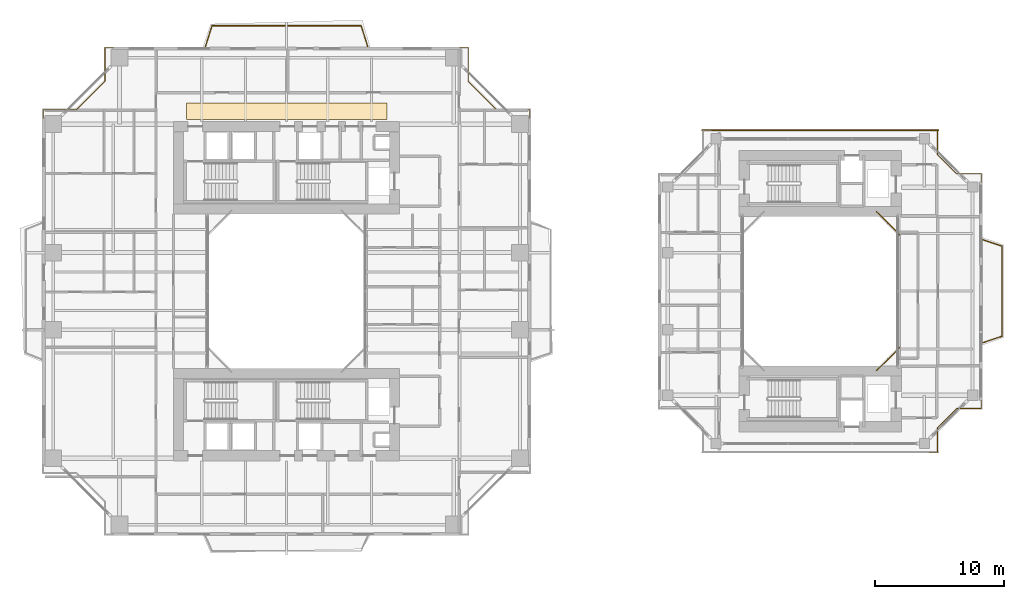
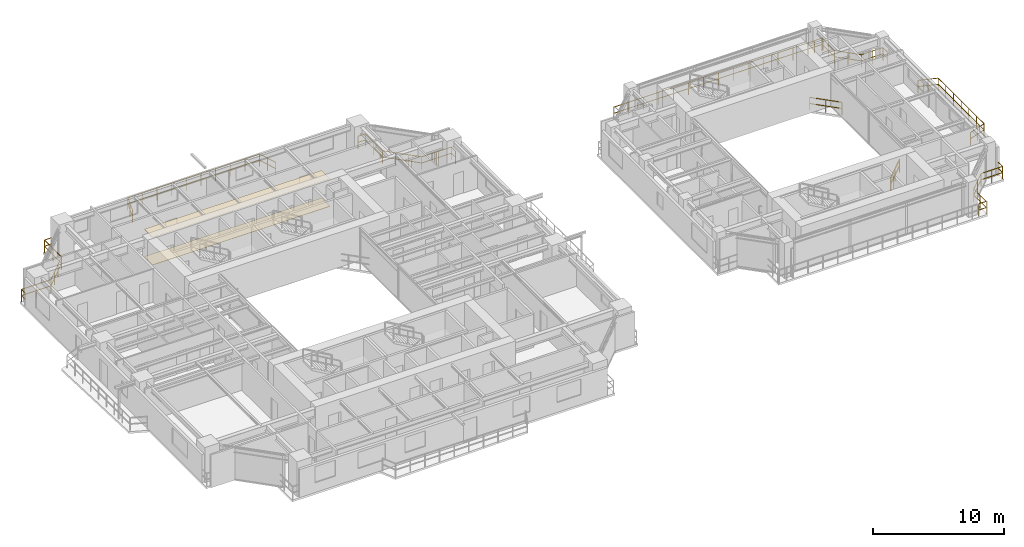
# One storey, part 23 of 23: 9 railings, 2 coverings.
"""IFC4 building model written with IfcOpenShell, lengths in metres."""

from ifc_helpers import new_model, si_unit, direction, frame, origin, origin_2d, place, context, subcontext, project, spatial, polyline, rectangle, outline, extrude, material, layer, layer_set, type_object, element, save


model = new_model("IFC4")

# Units and contexts
model_context = context("Model", 3, precision=1e-05, world=origin(), true_north=direction((0.0, 1.0)))
body_context = subcontext(model_context, "Body", "Model", "MODEL_VIEW")
ifc_project = project(units=[si_unit("LENGTHUNIT", "METRE"), si_unit("AREAUNIT", "SQUARE_METRE"), si_unit("VOLUMEUNIT", "CUBIC_METRE"), si_unit("PLANEANGLEUNIT", "RADIAN"), si_unit("MASSUNIT", "GRAM", prefix="KILO"), si_unit("THERMODYNAMICTEMPERATUREUNIT", "KELVIN"), si_unit("POWERUNIT", "WATT")], contexts=[model_context])

# Site, building, storey
site_placement = place(None, origin())
site = spatial("IfcSite", under=ifc_project, at=site_placement, CompositionType="ELEMENT")
building_placement = place(site_placement, origin())
building = spatial("IfcBuilding", under=site, at=building_placement, Name="Qiaomeng Ring Towers", CompositionType="ELEMENT")
storey_placement = place(building_placement, frame((0.0, 0.0, 79.5)))
storey = spatial("IfcBuildingStorey", under=building, at=storey_placement, Name="L22", CompositionType="ELEMENT", Elevation=79.5)

# Coverings
ifc_material_1 = material(Name="Mineral fibre acoustic ceiling tile", Category="gypsum")
ifc_layer_1 = layer(ifc_material_1, 0.02490234375, Name="Mineral fibre acoustic ceiling tile")
ifc_layer_set_1 = layer_set([ifc_layer_1], Name="Mineral fibre acoustic ceiling tile")
covering_type_1 = type_object("IfcCoveringType", Name="ARC-COV-CEIL1", PredefinedType="CEILING", material=ifc_layer_set_1)
covering_1_placement = place(storey_placement, frame((0.0, 0.0, 2.550048828125)))
element("IfcCovering", 1, at=covering_1_placement, inside=storey, type_object=covering_type_1, Name="L22 Corridor Acoustic Ceiling", PredefinedType="CEILING", context=body_context, shape_type="SweptSolid", body=[
    extrude(outline(polyline([(11.199951171875, 36.35009765625), (11.199951171875, 37.64990234375), (26.800048828125, 37.64990234375), (26.800048828125, 36.35009765625), (11.199951171875, 36.35009765625)])), origin(), (0.0, 0.0, 1.0), 0.02490234375),
])
ifc_material_2 = material(Name="Vitrified porcelain floor tile", Category="ceramic")
ifc_layer_2 = layer(ifc_material_2, 0.02001953125, Name="Vitrified porcelain floor tile")
ifc_layer_set_2 = layer_set([ifc_layer_2], Name="Vitrified porcelain floor tile")
covering_type_2 = type_object("IfcCoveringType", Name="ARC-COV-FLR1", PredefinedType="FLOORING", material=ifc_layer_set_2)
covering_2_placement = place(storey_placement, origin())
element("IfcCovering", 2, at=covering_2_placement, inside=storey, type_object=covering_type_2, Name="L22 Corridor Stone Flooring", PredefinedType="FLOORING", context=body_context, shape_type="SweptSolid", body=[
    extrude(outline(polyline([(11.199951171875, 36.35009765625), (11.199951171875, 37.64990234375), (26.800048828125, 37.64990234375), (26.800048828125, 36.35009765625), (11.199951171875, 36.35009765625)])), origin(), (0.0, 0.0, 1.0), 0.02001953125),
])

# Railings
ifc_material_3 = material(Name="Low-E pale-green laminated safety glass", Category="glass")
railing_type = type_object("IfcRailingType", Name="ARC-RL-BAL1", PredefinedType="BALUSTRADE", material=ifc_material_3)
railing_1_placement = place(storey_placement, frame((37.919921875, 36.469970703125, 0.0)))
element("IfcRailing", 3, at=railing_1_placement, inside=storey, type_object=railing_type, Name="L22 Balustrade ARC-BAL-NOTCH1-L22-NE", PredefinedType="BALUSTRADE", context=body_context, shape_type="SweptSolid", body=[
    extrude(rectangle(XDim=0.048095703125, YDim=0.048095703125, at=origin_2d()), frame((0.0, 0.0, 1.17578125), z_axis=(0.0, 1.0, 0.0), x_axis=(-1.0, 0.0, 0.0)), (0.0, 0.0, 1.0), 0.650146484375),
    extrude(rectangle(XDim=0.048095703125, YDim=0.048095703125, at=origin_2d()), frame((0.0, 0.0, 0.60009765625), z_axis=(0.0, 1.0, 0.0), x_axis=(-1.0, 0.0, 0.0)), (0.0, 0.0, 1.0), 0.650146484375),
    extrude(rectangle(XDim=0.048095703125, YDim=0.048095703125, at=origin_2d()), frame((0.0, 0.650146484375, 1.17578125), z_axis=(-1.0, 0.0, 0.0), x_axis=(0.0, -1.0, 0.0)), (0.0, 0.0, 1.0), 2.599853515625),
    extrude(rectangle(XDim=0.048095703125, YDim=0.048095703125, at=origin_2d()), frame((0.0, 0.650146484375, 0.60009765625), z_axis=(-1.0, 0.0, 0.0), x_axis=(0.0, -1.0, 0.0)), (0.0, 0.0, 1.0), 2.599853515625),
    extrude(rectangle(XDim=0.048095703125, YDim=0.048095703125, at=origin_2d()), frame((-2.599853515625, 0.650146484375, 1.17578125), z_axis=(-0.707106781187, 0.707106781187, 0.0), x_axis=(-0.707106781187, -0.707106781187, 0.0)), (0.0, 0.0, 1.0), 3.111083984375),
    extrude(rectangle(XDim=0.048095703125, YDim=0.048095703125, at=origin_2d()), frame((-2.599853515625, 0.650146484375, 0.60009765625), z_axis=(-0.707106781187, 0.707106781187, 0.0), x_axis=(-0.707106781187, -0.707106781187, 0.0)), (0.0, 0.0, 1.0), 3.111083984375),
    extrude(rectangle(XDim=0.048095703125, YDim=0.048095703125, at=origin_2d()), frame((-4.7998046875, 2.85009765625, 1.17578125), z_axis=(0.0, 1.0, 0.0), x_axis=(-1.0, 0.0, 0.0)), (0.0, 0.0, 1.0), 2.599853515625),
    extrude(rectangle(XDim=0.048095703125, YDim=0.048095703125, at=origin_2d()), frame((-4.7998046875, 2.85009765625, 0.60009765625), z_axis=(0.0, 1.0, 0.0), x_axis=(-1.0, 0.0, 0.0)), (0.0, 0.0, 1.0), 2.599853515625),
    extrude(rectangle(XDim=0.048095703125, YDim=0.048095703125, at=origin_2d()), frame((-4.7998046875, 5.449951171875, 1.17578125), z_axis=(-1.0, 0.0, 0.0), x_axis=(0.0, -1.0, 0.0)), (0.0, 0.0, 1.0), 0.650146484375),
    extrude(rectangle(XDim=0.048095703125, YDim=0.048095703125, at=origin_2d()), frame((-4.7998046875, 5.449951171875, 0.60009765625), z_axis=(-1.0, 0.0, 0.0), x_axis=(0.0, -1.0, 0.0)), (0.0, 0.0, 1.0), 0.650146484375),
    extrude(rectangle(XDim=0.0419921875, YDim=0.0419921875, at=origin_2d()), origin(), (0.0, 0.0, 1.0), 1.15185546875),
    extrude(rectangle(XDim=0.0419921875, YDim=0.0419921875, at=origin_2d()), frame((0.0, 0.650146484375, 0.0)), (0.0, 0.0, 1.0), 1.15185546875),
    extrude(rectangle(XDim=0.0419921875, YDim=0.0419921875, at=origin_2d()), frame((-1.2998046875, 0.650146484375, 0.0)), (0.0, 0.0, 1.0), 1.15185546875),
    extrude(rectangle(XDim=0.0419921875, YDim=0.0419921875, at=origin_2d()), frame((-2.599853515625, 0.650146484375, 0.0)), (0.0, 0.0, 1.0), 1.15185546875),
    extrude(rectangle(XDim=0.0419921875, YDim=0.0419921875, at=origin_2d()), frame((-3.333251953125, 1.383544921875, 0.0)), (0.0, 0.0, 1.0), 1.15185546875),
    extrude(rectangle(XDim=0.0419921875, YDim=0.0419921875, at=origin_2d()), frame((-4.06640625, 2.11669921875, 0.0)), (0.0, 0.0, 1.0), 1.15185546875),
    extrude(rectangle(XDim=0.0419921875, YDim=0.0419921875, at=origin_2d()), frame((-4.7998046875, 2.85009765625, 0.0)), (0.0, 0.0, 1.0), 1.15185546875),
    extrude(rectangle(XDim=0.0419921875, YDim=0.0419921875, at=origin_2d()), frame((-4.7998046875, 4.14990234375, 0.0)), (0.0, 0.0, 1.0), 1.15185546875),
    extrude(rectangle(XDim=0.0419921875, YDim=0.0419921875, at=origin_2d()), frame((-4.7998046875, 5.449951171875, 0.0)), (0.0, 0.0, 1.0), 1.15185546875),
    extrude(rectangle(XDim=0.0419921875, YDim=0.0419921875, at=origin_2d()), frame((-5.449951171875, 5.449951171875, 0.0)), (0.0, 0.0, 1.0), 1.15185546875),
])
railing_2_placement = place(storey_placement, frame((5.530029296875, 41.919921875, 0.0)))
element("IfcRailing", 4, at=railing_2_placement, inside=storey, type_object=railing_type, Name="L22 Balustrade ARC-BAL-NOTCH1-L22-NW", PredefinedType="BALUSTRADE", context=body_context, shape_type="SweptSolid", body=[
    extrude(rectangle(XDim=0.048095703125, YDim=0.048095703125, at=origin_2d()), frame((0.0, 0.0, 1.17578125), z_axis=(-1.0, 0.0, 0.0), x_axis=(0.0, -1.0, 0.0)), (0.0, 0.0, 1.0), 0.650146484375),
    extrude(rectangle(XDim=0.048095703125, YDim=0.048095703125, at=origin_2d()), frame((0.0, 0.0, 0.60009765625), z_axis=(-1.0, 0.0, 0.0), x_axis=(0.0, -1.0, 0.0)), (0.0, 0.0, 1.0), 0.650146484375),
    extrude(rectangle(XDim=0.048095703125, YDim=0.048095703125, at=origin_2d()), frame((-0.650146484375, 0.0, 1.17578125), z_axis=(0.0, -1.0, 0.0), x_axis=(1.0, 0.0, 0.0)), (0.0, 0.0, 1.0), 2.599853515625),
    extrude(rectangle(XDim=0.048095703125, YDim=0.048095703125, at=origin_2d()), frame((-0.650146484375, 0.0, 0.60009765625), z_axis=(0.0, -1.0, 0.0), x_axis=(1.0, 0.0, 0.0)), (0.0, 0.0, 1.0), 2.599853515625),
    extrude(rectangle(XDim=0.048095703125, YDim=0.048095703125, at=origin_2d()), frame((-0.650146484375, -2.599853515625, 1.17578125), z_axis=(-0.707106781187, -0.707106781187, 0.0), x_axis=(0.707106781187, -0.707106781187, 0.0)), (0.0, 0.0, 1.0), 3.111083984375),
    extrude(rectangle(XDim=0.048095703125, YDim=0.048095703125, at=origin_2d()), frame((-0.650146484375, -2.599853515625, 0.60009765625), z_axis=(-0.707106781187, -0.707106781187, 0.0), x_axis=(0.707106781187, -0.707106781187, 0.0)), (0.0, 0.0, 1.0), 3.111083984375),
    extrude(rectangle(XDim=0.048095703125, YDim=0.048095703125, at=origin_2d()), frame((-2.85009765625, -4.7998046875, 1.17578125), z_axis=(-1.0, 0.0, 0.0), x_axis=(0.0, -1.0, 0.0)), (0.0, 0.0, 1.0), 2.599853515625),
    extrude(rectangle(XDim=0.048095703125, YDim=0.048095703125, at=origin_2d()), frame((-2.85009765625, -4.7998046875, 0.60009765625), z_axis=(-1.0, 0.0, 0.0), x_axis=(0.0, -1.0, 0.0)), (0.0, 0.0, 1.0), 2.599853515625),
    extrude(rectangle(XDim=0.048095703125, YDim=0.048095703125, at=origin_2d()), frame((-5.449951171875, -4.7998046875, 1.17578125), z_axis=(0.0, -1.0, 0.0), x_axis=(1.0, 0.0, 0.0)), (0.0, 0.0, 1.0), 0.650146484375),
    extrude(rectangle(XDim=0.048095703125, YDim=0.048095703125, at=origin_2d()), frame((-5.449951171875, -4.7998046875, 0.60009765625), z_axis=(0.0, -1.0, 0.0), x_axis=(1.0, 0.0, 0.0)), (0.0, 0.0, 1.0), 0.650146484375),
    extrude(rectangle(XDim=0.0419921875, YDim=0.0419921875, at=origin_2d()), origin(), (0.0, 0.0, 1.0), 1.15185546875),
    extrude(rectangle(XDim=0.0419921875, YDim=0.0419921875, at=origin_2d()), frame((-0.650146484375, 0.0, 0.0)), (0.0, 0.0, 1.0), 1.15185546875),
    extrude(rectangle(XDim=0.0419921875, YDim=0.0419921875, at=origin_2d()), frame((-0.650146484375, -1.2998046875, 0.0)), (0.0, 0.0, 1.0), 1.15185546875),
    extrude(rectangle(XDim=0.0419921875, YDim=0.0419921875, at=origin_2d()), frame((-0.650146484375, -2.599853515625, 0.0)), (0.0, 0.0, 1.0), 1.15185546875),
    extrude(rectangle(XDim=0.0419921875, YDim=0.0419921875, at=origin_2d()), frame((-1.383544921875, -3.333251953125, 0.0)), (0.0, 0.0, 1.0), 1.15185546875),
    extrude(rectangle(XDim=0.0419921875, YDim=0.0419921875, at=origin_2d()), frame((-2.11669921875, -4.06640625, 0.0)), (0.0, 0.0, 1.0), 1.15185546875),
    extrude(rectangle(XDim=0.0419921875, YDim=0.0419921875, at=origin_2d()), frame((-2.85009765625, -4.7998046875, 0.0)), (0.0, 0.0, 1.0), 1.15185546875),
    extrude(rectangle(XDim=0.0419921875, YDim=0.0419921875, at=origin_2d()), frame((-4.14990234375, -4.7998046875, 0.0)), (0.0, 0.0, 1.0), 1.15185546875),
    extrude(rectangle(XDim=0.0419921875, YDim=0.0419921875, at=origin_2d()), frame((-5.449951171875, -4.7998046875, 0.0)), (0.0, 0.0, 1.0), 1.15185546875),
    extrude(rectangle(XDim=0.0419921875, YDim=0.0419921875, at=origin_2d()), frame((-5.449951171875, -5.449951171875, 0.0)), (0.0, 0.0, 1.0), 1.15185546875),
])
railing_3_placement = place(storey_placement, frame((12.699951171875, 42.050048828125, 0.0)))
element("IfcRailing", 5, at=railing_3_placement, inside=storey, type_object=railing_type, Name="L22 Balustrade ARC-BAL-L22-T1-N", PredefinedType="BALUSTRADE", context=body_context, shape_type="SweptSolid", body=[
    extrude(rectangle(XDim=0.048095703125, YDim=0.048095703125, at=origin_2d()), frame((0.0, 0.0, 1.17578125), z_axis=(0.300009430376, 0.95393623565, 0.0), x_axis=(-0.95393623565, 0.300009430376, 0.0)), (0.0, 0.0, 1.0), 1.66650390625),
    extrude(rectangle(XDim=0.048095703125, YDim=0.048095703125, at=origin_2d()), frame((0.0, 0.0, 0.60009765625), z_axis=(0.300009430376, 0.95393623565, 0.0), x_axis=(-0.95393623565, 0.300009430376, 0.0)), (0.0, 0.0, 1.0), 1.66650390625),
    extrude(rectangle(XDim=0.048095703125, YDim=0.048095703125, at=origin_2d()), frame((0.5, 1.58984375, 1.17578125), z_axis=(1.0, 0.0, 0.0), x_axis=(0.0, 1.0, 0.0)), (0.0, 0.0, 1.0), 11.60009765625),
    extrude(rectangle(XDim=0.048095703125, YDim=0.048095703125, at=origin_2d()), frame((0.5, 1.58984375, 0.60009765625), z_axis=(1.0, 0.0, 0.0), x_axis=(0.0, 1.0, 0.0)), (0.0, 0.0, 1.0), 11.60009765625),
    extrude(rectangle(XDim=0.048095703125, YDim=0.048095703125, at=origin_2d()), frame((12.10009765625, 1.58984375, 1.17578125), z_axis=(0.300009430376, -0.95393623565, 0.0), x_axis=(0.95393623565, 0.300009430376, 0.0)), (0.0, 0.0, 1.0), 1.66650390625),
    extrude(rectangle(XDim=0.048095703125, YDim=0.048095703125, at=origin_2d()), frame((12.10009765625, 1.58984375, 0.60009765625), z_axis=(0.300009430376, -0.95393623565, 0.0), x_axis=(0.95393623565, 0.300009430376, 0.0)), (0.0, 0.0, 1.0), 1.66650390625),
    extrude(rectangle(XDim=0.0419921875, YDim=0.0419921875, at=origin_2d()), origin(), (0.0, 0.0, 1.0), 1.15185546875),
    extrude(rectangle(XDim=0.0419921875, YDim=0.0419921875, at=origin_2d()), frame((0.25, 0.794921875, 0.0)), (0.0, 0.0, 1.0), 1.15185546875),
    extrude(rectangle(XDim=0.0419921875, YDim=0.0419921875, at=origin_2d()), frame((0.5, 1.58984375, 0.0)), (0.0, 0.0, 1.0), 1.15185546875),
    extrude(rectangle(XDim=0.0419921875, YDim=0.0419921875, at=origin_2d()), frame((1.788818359375, 1.58984375, 0.0)), (0.0, 0.0, 1.0), 1.15185546875),
    extrude(rectangle(XDim=0.0419921875, YDim=0.0419921875, at=origin_2d()), frame((3.077880859375, 1.58984375, 0.0)), (0.0, 0.0, 1.0), 1.15185546875),
    extrude(rectangle(XDim=0.0419921875, YDim=0.0419921875, at=origin_2d()), frame((4.36669921875, 1.58984375, 0.0)), (0.0, 0.0, 1.0), 1.15185546875),
    extrude(rectangle(XDim=0.0419921875, YDim=0.0419921875, at=origin_2d()), frame((5.655517578125, 1.58984375, 0.0)), (0.0, 0.0, 1.0), 1.15185546875),
    extrude(rectangle(XDim=0.0419921875, YDim=0.0419921875, at=origin_2d()), frame((6.944580078125, 1.58984375, 0.0)), (0.0, 0.0, 1.0), 1.15185546875),
    extrude(rectangle(XDim=0.0419921875, YDim=0.0419921875, at=origin_2d()), frame((8.2333984375, 1.58984375, 0.0)), (0.0, 0.0, 1.0), 1.15185546875),
    extrude(rectangle(XDim=0.0419921875, YDim=0.0419921875, at=origin_2d()), frame((9.522216796875, 1.58984375, 0.0)), (0.0, 0.0, 1.0), 1.15185546875),
    extrude(rectangle(XDim=0.0419921875, YDim=0.0419921875, at=origin_2d()), frame((10.811279296875, 1.58984375, 0.0)), (0.0, 0.0, 1.0), 1.15185546875),
    extrude(rectangle(XDim=0.0419921875, YDim=0.0419921875, at=origin_2d()), frame((12.10009765625, 1.58984375, 0.0)), (0.0, 0.0, 1.0), 1.15185546875),
    extrude(rectangle(XDim=0.0419921875, YDim=0.0419921875, at=origin_2d()), frame((12.35009765625, 0.794921875, 0.0)), (0.0, 0.0, 1.0), 1.15185546875),
    extrude(rectangle(XDim=0.0419921875, YDim=0.0419921875, at=origin_2d()), frame((12.60009765625, 0.0, 0.0)), (0.0, 0.0, 1.0), 1.15185546875),
])
railing_4_placement = place(storey_placement, frame((64.8798828125, 16.820068359375, 0.0)))
element("IfcRailing", 6, at=railing_4_placement, inside=storey, type_object=railing_type, Name="L22 Balustrade ARC-BAL-WELL2-L22-1", PredefinedType="BALUSTRADE", context=body_context, shape_type="SweptSolid", body=[
    extrude(rectangle(XDim=0.048095703125, YDim=0.048095703125, at=origin_2d()), frame((0.0, 0.0, 1.17578125), z_axis=(0.707106781187, 0.707106781187, 0.0), x_axis=(-0.707106781187, 0.707106781187, 0.0)), (0.0, 0.0, 1.0), 2.545654296875),
    extrude(rectangle(XDim=0.048095703125, YDim=0.048095703125, at=origin_2d()), frame((0.0, 0.0, 0.60009765625), z_axis=(0.707106781187, 0.707106781187, 0.0), x_axis=(-0.707106781187, 0.707106781187, 0.0)), (0.0, 0.0, 1.0), 2.545654296875),
    extrude(rectangle(XDim=0.0419921875, YDim=0.0419921875, at=origin_2d()), origin(), (0.0, 0.0, 1.0), 1.15185546875),
    extrude(rectangle(XDim=0.0419921875, YDim=0.0419921875, at=origin_2d()), frame((0.89990234375, 0.89990234375, 0.0)), (0.0, 0.0, 1.0), 1.15185546875),
    extrude(rectangle(XDim=0.0419921875, YDim=0.0419921875, at=origin_2d()), frame((1.800048828125, 1.800048828125, 0.0)), (0.0, 0.0, 1.0), 1.15185546875),
])
railing_5_placement = place(storey_placement, frame((66.679931640625, 27.3798828125, 0.0)))
element("IfcRailing", 7, at=railing_5_placement, inside=storey, type_object=railing_type, Name="L22 Balustrade ARC-BAL-WELL2-L22-2", PredefinedType="BALUSTRADE", context=body_context, shape_type="SweptSolid", body=[
    extrude(rectangle(XDim=0.048095703125, YDim=0.048095703125, at=origin_2d()), frame((0.0, 0.0, 1.17578125), z_axis=(-0.707106781187, 0.707106781187, 0.0), x_axis=(-0.707106781187, -0.707106781187, 0.0)), (0.0, 0.0, 1.0), 2.545654296875),
    extrude(rectangle(XDim=0.048095703125, YDim=0.048095703125, at=origin_2d()), frame((0.0, 0.0, 0.60009765625), z_axis=(-0.707106781187, 0.707106781187, 0.0), x_axis=(-0.707106781187, -0.707106781187, 0.0)), (0.0, 0.0, 1.0), 2.545654296875),
    extrude(rectangle(XDim=0.0419921875, YDim=0.0419921875, at=origin_2d()), origin(), (0.0, 0.0, 1.0), 1.15185546875),
    extrude(rectangle(XDim=0.0419921875, YDim=0.0419921875, at=origin_2d()), frame((-0.89990234375, 0.89990234375, 0.0)), (0.0, 0.0, 1.0), 1.15185546875),
    extrude(rectangle(XDim=0.0419921875, YDim=0.0419921875, at=origin_2d()), frame((-1.800048828125, 1.800048828125, 0.0)), (0.0, 0.0, 1.0), 1.15185546875),
])
railing_6_placement = place(storey_placement, frame((68.969970703125, 10.47998046875, 0.0)))
element("IfcRailing", 8, at=railing_6_placement, inside=storey, type_object=railing_type, Name="L22 Balustrade ARC-BAL-NOTCH2-L22-SE", PredefinedType="BALUSTRADE", context=body_context, shape_type="SweptSolid", body=[
    extrude(rectangle(XDim=0.048095703125, YDim=0.048095703125, at=origin_2d()), frame((0.0, 0.0, 1.17578125), z_axis=(1.0, 0.0, 0.0), x_axis=(0.0, 1.0, 0.0)), (0.0, 0.0, 1.0), 0.650146484375),
    extrude(rectangle(XDim=0.048095703125, YDim=0.048095703125, at=origin_2d()), frame((0.0, 0.0, 0.60009765625), z_axis=(1.0, 0.0, 0.0), x_axis=(0.0, 1.0, 0.0)), (0.0, 0.0, 1.0), 0.650146484375),
    extrude(rectangle(XDim=0.048095703125, YDim=0.048095703125, at=origin_2d()), frame((0.650146484375, 0.0, 1.17578125), z_axis=(0.0, 1.0, 0.0), x_axis=(-1.0, 0.0, 0.0)), (0.0, 0.0, 1.0), 1.89990234375),
    extrude(rectangle(XDim=0.048095703125, YDim=0.048095703125, at=origin_2d()), frame((0.650146484375, 0.0, 0.60009765625), z_axis=(0.0, 1.0, 0.0), x_axis=(-1.0, 0.0, 0.0)), (0.0, 0.0, 1.0), 1.89990234375),
    extrude(rectangle(XDim=0.048095703125, YDim=0.048095703125, at=origin_2d()), frame((0.650146484375, 1.89990234375, 1.17578125), z_axis=(0.707106781187, 0.707106781187, 0.0), x_axis=(-0.707106781187, 0.707106781187, 0.0)), (0.0, 0.0, 1.0), 2.121337890625),
    extrude(rectangle(XDim=0.048095703125, YDim=0.048095703125, at=origin_2d()), frame((0.650146484375, 1.89990234375, 0.60009765625), z_axis=(0.707106781187, 0.707106781187, 0.0), x_axis=(-0.707106781187, 0.707106781187, 0.0)), (0.0, 0.0, 1.0), 2.121337890625),
    extrude(rectangle(XDim=0.048095703125, YDim=0.048095703125, at=origin_2d()), frame((2.150146484375, 3.39990234375, 1.17578125), z_axis=(1.0, 0.0, 0.0), x_axis=(0.0, 1.0, 0.0)), (0.0, 0.0, 1.0), 1.89990234375),
    extrude(rectangle(XDim=0.048095703125, YDim=0.048095703125, at=origin_2d()), frame((2.150146484375, 3.39990234375, 0.60009765625), z_axis=(1.0, 0.0, 0.0), x_axis=(0.0, 1.0, 0.0)), (0.0, 0.0, 1.0), 1.89990234375),
    extrude(rectangle(XDim=0.048095703125, YDim=0.048095703125, at=origin_2d()), frame((4.050048828125, 3.39990234375, 1.17578125), z_axis=(0.0, 1.0, 0.0), x_axis=(-1.0, 0.0, 0.0)), (0.0, 0.0, 1.0), 0.650146484375),
    extrude(rectangle(XDim=0.048095703125, YDim=0.048095703125, at=origin_2d()), frame((4.050048828125, 3.39990234375, 0.60009765625), z_axis=(0.0, 1.0, 0.0), x_axis=(-1.0, 0.0, 0.0)), (0.0, 0.0, 1.0), 0.650146484375),
    extrude(rectangle(XDim=0.0419921875, YDim=0.0419921875, at=origin_2d()), origin(), (0.0, 0.0, 1.0), 1.15185546875),
    extrude(rectangle(XDim=0.0419921875, YDim=0.0419921875, at=origin_2d()), frame((0.650146484375, 0.0, 0.0)), (0.0, 0.0, 1.0), 1.15185546875),
    extrude(rectangle(XDim=0.0419921875, YDim=0.0419921875, at=origin_2d()), frame((0.650146484375, 0.949951171875, 0.0)), (0.0, 0.0, 1.0), 1.15185546875),
    extrude(rectangle(XDim=0.0419921875, YDim=0.0419921875, at=origin_2d()), frame((0.650146484375, 1.89990234375, 0.0)), (0.0, 0.0, 1.0), 1.15185546875),
    extrude(rectangle(XDim=0.0419921875, YDim=0.0419921875, at=origin_2d()), frame((1.400146484375, 2.64990234375, 0.0)), (0.0, 0.0, 1.0), 1.15185546875),
    extrude(rectangle(XDim=0.0419921875, YDim=0.0419921875, at=origin_2d()), frame((2.150146484375, 3.39990234375, 0.0)), (0.0, 0.0, 1.0), 1.15185546875),
    extrude(rectangle(XDim=0.0419921875, YDim=0.0419921875, at=origin_2d()), frame((3.10009765625, 3.39990234375, 0.0)), (0.0, 0.0, 1.0), 1.15185546875),
    extrude(rectangle(XDim=0.0419921875, YDim=0.0419921875, at=origin_2d()), frame((4.050048828125, 3.39990234375, 0.0)), (0.0, 0.0, 1.0), 1.15185546875),
    extrude(rectangle(XDim=0.0419921875, YDim=0.0419921875, at=origin_2d()), frame((4.050048828125, 4.050048828125, 0.0)), (0.0, 0.0, 1.0), 1.15185546875),
])
railing_7_placement = place(storey_placement, frame((73.02001953125, 31.469970703125, 0.0)))
element("IfcRailing", 9, at=railing_7_placement, inside=storey, type_object=railing_type, Name="L22 Balustrade ARC-BAL-NOTCH2-L22-NE", PredefinedType="BALUSTRADE", context=body_context, shape_type="SweptSolid", body=[
    extrude(rectangle(XDim=0.048095703125, YDim=0.048095703125, at=origin_2d()), frame((0.0, 0.0, 1.17578125), z_axis=(0.0, 1.0, 0.0), x_axis=(-1.0, 0.0, 0.0)), (0.0, 0.0, 1.0), 0.650146484375),
    extrude(rectangle(XDim=0.048095703125, YDim=0.048095703125, at=origin_2d()), frame((0.0, 0.0, 0.60009765625), z_axis=(0.0, 1.0, 0.0), x_axis=(-1.0, 0.0, 0.0)), (0.0, 0.0, 1.0), 0.650146484375),
    extrude(rectangle(XDim=0.048095703125, YDim=0.048095703125, at=origin_2d()), frame((0.0, 0.650146484375, 1.17578125), z_axis=(-1.0, 0.0, 0.0), x_axis=(0.0, -1.0, 0.0)), (0.0, 0.0, 1.0), 1.89990234375),
    extrude(rectangle(XDim=0.048095703125, YDim=0.048095703125, at=origin_2d()), frame((0.0, 0.650146484375, 0.60009765625), z_axis=(-1.0, 0.0, 0.0), x_axis=(0.0, -1.0, 0.0)), (0.0, 0.0, 1.0), 1.89990234375),
    extrude(rectangle(XDim=0.048095703125, YDim=0.048095703125, at=origin_2d()), frame((-1.89990234375, 0.650146484375, 1.17578125), z_axis=(-0.707106781187, 0.707106781187, 0.0), x_axis=(-0.707106781187, -0.707106781187, 0.0)), (0.0, 0.0, 1.0), 2.121337890625),
    extrude(rectangle(XDim=0.048095703125, YDim=0.048095703125, at=origin_2d()), frame((-1.89990234375, 0.650146484375, 0.60009765625), z_axis=(-0.707106781187, 0.707106781187, 0.0), x_axis=(-0.707106781187, -0.707106781187, 0.0)), (0.0, 0.0, 1.0), 2.121337890625),
    extrude(rectangle(XDim=0.048095703125, YDim=0.048095703125, at=origin_2d()), frame((-3.39990234375, 2.150146484375, 1.17578125), z_axis=(0.0, 1.0, 0.0), x_axis=(-1.0, 0.0, 0.0)), (0.0, 0.0, 1.0), 1.89990234375),
    extrude(rectangle(XDim=0.048095703125, YDim=0.048095703125, at=origin_2d()), frame((-3.39990234375, 2.150146484375, 0.60009765625), z_axis=(0.0, 1.0, 0.0), x_axis=(-1.0, 0.0, 0.0)), (0.0, 0.0, 1.0), 1.89990234375),
    extrude(rectangle(XDim=0.048095703125, YDim=0.048095703125, at=origin_2d()), frame((-3.39990234375, 4.050048828125, 1.17578125), z_axis=(-1.0, 0.0, 0.0), x_axis=(0.0, -1.0, 0.0)), (0.0, 0.0, 1.0), 0.650146484375),
    extrude(rectangle(XDim=0.048095703125, YDim=0.048095703125, at=origin_2d()), frame((-3.39990234375, 4.050048828125, 0.60009765625), z_axis=(-1.0, 0.0, 0.0), x_axis=(0.0, -1.0, 0.0)), (0.0, 0.0, 1.0), 0.650146484375),
    extrude(rectangle(XDim=0.0419921875, YDim=0.0419921875, at=origin_2d()), origin(), (0.0, 0.0, 1.0), 1.15185546875),
    extrude(rectangle(XDim=0.0419921875, YDim=0.0419921875, at=origin_2d()), frame((0.0, 0.650146484375, 0.0)), (0.0, 0.0, 1.0), 1.15185546875),
    extrude(rectangle(XDim=0.0419921875, YDim=0.0419921875, at=origin_2d()), frame((-0.949951171875, 0.650146484375, 0.0)), (0.0, 0.0, 1.0), 1.15185546875),
    extrude(rectangle(XDim=0.0419921875, YDim=0.0419921875, at=origin_2d()), frame((-1.89990234375, 0.650146484375, 0.0)), (0.0, 0.0, 1.0), 1.15185546875),
    extrude(rectangle(XDim=0.0419921875, YDim=0.0419921875, at=origin_2d()), frame((-2.64990234375, 1.400146484375, 0.0)), (0.0, 0.0, 1.0), 1.15185546875),
    extrude(rectangle(XDim=0.0419921875, YDim=0.0419921875, at=origin_2d()), frame((-3.39990234375, 2.150146484375, 0.0)), (0.0, 0.0, 1.0), 1.15185546875),
    extrude(rectangle(XDim=0.0419921875, YDim=0.0419921875, at=origin_2d()), frame((-3.39990234375, 3.10009765625, 0.0)), (0.0, 0.0, 1.0), 1.15185546875),
    extrude(rectangle(XDim=0.0419921875, YDim=0.0419921875, at=origin_2d()), frame((-3.39990234375, 4.050048828125, 0.0)), (0.0, 0.0, 1.0), 1.15185546875),
    extrude(rectangle(XDim=0.0419921875, YDim=0.0419921875, at=origin_2d()), frame((-4.050048828125, 4.050048828125, 0.0)), (0.0, 0.0, 1.0), 1.15185546875),
])
railing_8_placement = place(storey_placement, frame((51.300048828125, 35.52001953125, 0.0)))
element("IfcRailing", 10, at=railing_8_placement, inside=storey, type_object=railing_type, Name="L22 Balustrade ARC-BAL-T2N-L22", PredefinedType="BALUSTRADE", context=body_context, shape_type="SweptSolid", body=[
    extrude(rectangle(XDim=0.048095703125, YDim=0.048095703125, at=origin_2d()), frame((0.0, 0.0, 1.17578125), z_axis=(1.0, 0.0, 0.0), x_axis=(0.0, 1.0, 0.0)), (0.0, 0.0, 1.0), 18.39990234375),
    extrude(rectangle(XDim=0.048095703125, YDim=0.048095703125, at=origin_2d()), frame((0.0, 0.0, 0.60009765625), z_axis=(1.0, 0.0, 0.0), x_axis=(0.0, 1.0, 0.0)), (0.0, 0.0, 1.0), 18.39990234375),
    extrude(rectangle(XDim=0.0419921875, YDim=0.0419921875, at=origin_2d()), origin(), (0.0, 0.0, 1.0), 1.15185546875),
    extrude(rectangle(XDim=0.0419921875, YDim=0.0419921875, at=origin_2d()), frame((1.314208984375, 0.0, 0.0)), (0.0, 0.0, 1.0), 1.15185546875),
    extrude(rectangle(XDim=0.0419921875, YDim=0.0419921875, at=origin_2d()), frame((2.628662109375, 0.0, 0.0)), (0.0, 0.0, 1.0), 1.15185546875),
    extrude(rectangle(XDim=0.0419921875, YDim=0.0419921875, at=origin_2d()), frame((3.94287109375, 0.0, 0.0)), (0.0, 0.0, 1.0), 1.15185546875),
    extrude(rectangle(XDim=0.0419921875, YDim=0.0419921875, at=origin_2d()), frame((5.257080078125, 0.0, 0.0)), (0.0, 0.0, 1.0), 1.15185546875),
    extrude(rectangle(XDim=0.0419921875, YDim=0.0419921875, at=origin_2d()), frame((6.5712890625, 0.0, 0.0)), (0.0, 0.0, 1.0), 1.15185546875),
    extrude(rectangle(XDim=0.0419921875, YDim=0.0419921875, at=origin_2d()), frame((7.8857421875, 0.0, 0.0)), (0.0, 0.0, 1.0), 1.15185546875),
    extrude(rectangle(XDim=0.0419921875, YDim=0.0419921875, at=origin_2d()), frame((9.199951171875, 0.0, 0.0)), (0.0, 0.0, 1.0), 1.15185546875),
    extrude(rectangle(XDim=0.0419921875, YDim=0.0419921875, at=origin_2d()), frame((10.51416015625, 0.0, 0.0)), (0.0, 0.0, 1.0), 1.15185546875),
    extrude(rectangle(XDim=0.0419921875, YDim=0.0419921875, at=origin_2d()), frame((11.82861328125, 0.0, 0.0)), (0.0, 0.0, 1.0), 1.15185546875),
    extrude(rectangle(XDim=0.0419921875, YDim=0.0419921875, at=origin_2d()), frame((13.142822265625, 0.0, 0.0)), (0.0, 0.0, 1.0), 1.15185546875),
    extrude(rectangle(XDim=0.0419921875, YDim=0.0419921875, at=origin_2d()), frame((14.45703125, 0.0, 0.0)), (0.0, 0.0, 1.0), 1.15185546875),
    extrude(rectangle(XDim=0.0419921875, YDim=0.0419921875, at=origin_2d()), frame((15.771240234375, 0.0, 0.0)), (0.0, 0.0, 1.0), 1.15185546875),
    extrude(rectangle(XDim=0.0419921875, YDim=0.0419921875, at=origin_2d()), frame((17.085693359375, 0.0, 0.0)), (0.0, 0.0, 1.0), 1.15185546875),
    extrude(rectangle(XDim=0.0419921875, YDim=0.0419921875, at=origin_2d()), frame((18.39990234375, 0.0, 0.0)), (0.0, 0.0, 1.0), 1.15185546875),
])
railing_9_placement = place(storey_placement, frame((73.14990234375, 19.0, 0.0)))
element("IfcRailing", 11, at=railing_9_placement, inside=storey, type_object=railing_type, Name="L22 Balustrade ARC-BAL-L22-T2-E", PredefinedType="BALUSTRADE", context=body_context, shape_type="SweptSolid", body=[
    extrude(rectangle(XDim=0.048095703125, YDim=0.048095703125, at=origin_2d()), frame((0.0, 0.0, 1.17578125), z_axis=(0.948044476945, 0.318137815629, 0.0), x_axis=(-0.318137815629, 0.948044476945, 0.0)), (0.0, 0.0, 1.0), 1.571533203125),
    extrude(rectangle(XDim=0.048095703125, YDim=0.048095703125, at=origin_2d()), frame((0.0, 0.0, 0.60009765625), z_axis=(0.948044476945, 0.318137815629, 0.0), x_axis=(-0.318137815629, 0.948044476945, 0.0)), (0.0, 0.0, 1.0), 1.571533203125),
    extrude(rectangle(XDim=0.048095703125, YDim=0.048095703125, at=origin_2d()), frame((1.489990234375, 0.5, 1.17578125), z_axis=(0.0, 1.0, 0.0), x_axis=(-1.0, 0.0, 0.0)), (0.0, 0.0, 1.0), 7.0),
    extrude(rectangle(XDim=0.048095703125, YDim=0.048095703125, at=origin_2d()), frame((1.489990234375, 0.5, 0.60009765625), z_axis=(0.0, 1.0, 0.0), x_axis=(-1.0, 0.0, 0.0)), (0.0, 0.0, 1.0), 7.0),
    extrude(rectangle(XDim=0.048095703125, YDim=0.048095703125, at=origin_2d()), frame((1.489990234375, 7.5, 1.17578125), z_axis=(-0.948044476945, 0.318137815629, 0.0), x_axis=(-0.318137815629, -0.948044476945, 0.0)), (0.0, 0.0, 1.0), 1.571533203125),
    extrude(rectangle(XDim=0.048095703125, YDim=0.048095703125, at=origin_2d()), frame((1.489990234375, 7.5, 0.60009765625), z_axis=(-0.948044476945, 0.318137815629, 0.0), x_axis=(-0.318137815629, -0.948044476945, 0.0)), (0.0, 0.0, 1.0), 1.571533203125),
    extrude(rectangle(XDim=0.0419921875, YDim=0.0419921875, at=origin_2d()), origin(), (0.0, 0.0, 1.0), 1.15185546875),
    extrude(rectangle(XDim=0.0419921875, YDim=0.0419921875, at=origin_2d()), frame((0.7451171875, 0.25, 0.0)), (0.0, 0.0, 1.0), 1.15185546875),
    extrude(rectangle(XDim=0.0419921875, YDim=0.0419921875, at=origin_2d()), frame((1.489990234375, 0.5, 0.0)), (0.0, 0.0, 1.0), 1.15185546875),
    extrude(rectangle(XDim=0.0419921875, YDim=0.0419921875, at=origin_2d()), frame((1.489990234375, 1.666748046875, 0.0)), (0.0, 0.0, 1.0), 1.15185546875),
    extrude(rectangle(XDim=0.0419921875, YDim=0.0419921875, at=origin_2d()), frame((1.489990234375, 2.833251953125, 0.0)), (0.0, 0.0, 1.0), 1.15185546875),
    extrude(rectangle(XDim=0.0419921875, YDim=0.0419921875, at=origin_2d()), frame((1.489990234375, 4.0, 0.0)), (0.0, 0.0, 1.0), 1.15185546875),
    extrude(rectangle(XDim=0.0419921875, YDim=0.0419921875, at=origin_2d()), frame((1.489990234375, 5.166748046875, 0.0)), (0.0, 0.0, 1.0), 1.15185546875),
    extrude(rectangle(XDim=0.0419921875, YDim=0.0419921875, at=origin_2d()), frame((1.489990234375, 6.333251953125, 0.0)), (0.0, 0.0, 1.0), 1.15185546875),
    extrude(rectangle(XDim=0.0419921875, YDim=0.0419921875, at=origin_2d()), frame((1.489990234375, 7.5, 0.0)), (0.0, 0.0, 1.0), 1.15185546875),
    extrude(rectangle(XDim=0.0419921875, YDim=0.0419921875, at=origin_2d()), frame((0.7451171875, 7.75, 0.0)), (0.0, 0.0, 1.0), 1.15185546875),
    extrude(rectangle(XDim=0.0419921875, YDim=0.0419921875, at=origin_2d()), frame((0.0, 8.0, 0.0)), (0.0, 0.0, 1.0), 1.15185546875),
])

save(model, "model.ifc")
